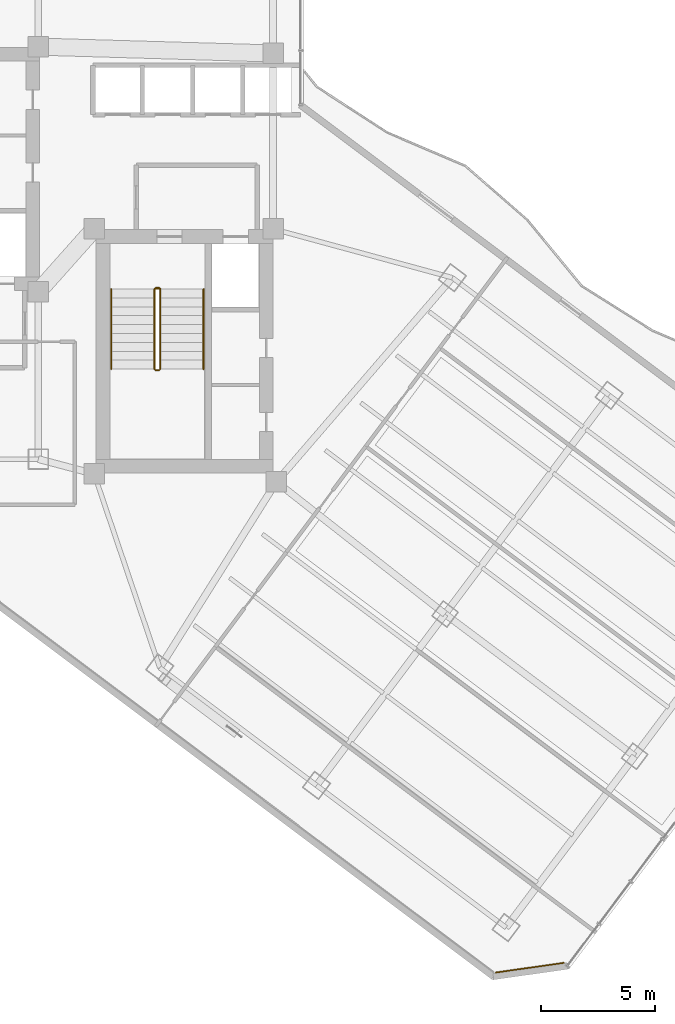
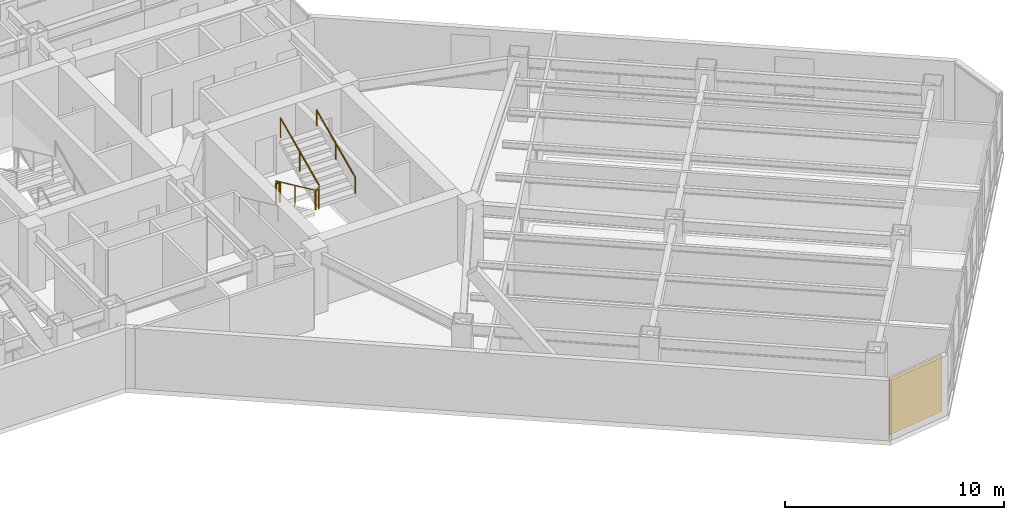
# One storey, part 28 of 31: 7 railings, 1 covering.
"""IFC4 building model written with IfcOpenShell, lengths in metres."""

from ifc_helpers import new_model, si_unit, direction, frame, origin, origin_2d, place, context, subcontext, project, spatial, rectangle, circle, extrude, material, layer, layer_set, type_object, element, save


model = new_model("IFC4")

# Units and contexts
model_context = context("Model", 3, precision=1e-05, world=origin(), true_north=direction((0.0, 1.0)))
body_context = subcontext(model_context, "Body", "Model", "MODEL_VIEW")
ifc_project = project(units=[si_unit("LENGTHUNIT", "METRE"), si_unit("AREAUNIT", "SQUARE_METRE"), si_unit("VOLUMEUNIT", "CUBIC_METRE"), si_unit("PLANEANGLEUNIT", "RADIAN"), si_unit("MASSUNIT", "GRAM", prefix="KILO")], contexts=[model_context])

# Site, building, storey
site_placement = place(None, origin())
site = spatial("IfcSite", under=ifc_project, at=site_placement, CompositionType="ELEMENT")
building_placement = place(site_placement, origin())
building = spatial("IfcBuilding", under=site, at=building_placement, Name="Hatsunagi Terrace Concourse", CompositionType="ELEMENT")
storey_placement = place(building_placement, frame((0.0, 0.0, 112.050048828125)))
storey = spatial("IfcBuildingStorey", under=building, at=storey_placement, Name="L29", CompositionType="ELEMENT", Elevation=112.050048828125)

# Railings
ifc_material_1 = material(Name="Stainless steel", Category="steel")
ifc_layer_1 = layer(ifc_material_1, 0.044921875)
ifc_layer_set_1 = layer_set([ifc_layer_1], Name="StairPitchHandrail_Tower2000")
railing_type_1 = type_object("IfcRailingType", Name="StairPitchHandrail_Tower2000", PredefinedType="HANDRAIL", material=ifc_layer_set_1)
railing_1_placement = place(storey_placement, frame((36.550048828125, 32.659912109375, 0.179931640625)))
element("IfcRailing", 1, at=railing_1_placement, inside=storey, type_object=railing_type_1, Name="L29 ST-B stair handrail 1", PredefinedType="HANDRAIL", context=body_context, shape_type="SweptSolid", body=[
    extrude(circle(Radius=0.02392578125, at=origin_2d()), frame((0.0, 0.0, 0.8759765625), z_axis=(0.0, -0.907948293929, 0.419082206198), x_axis=(1.0, 0.0, 0.0)), (0.0, 0.0, 1.0), 3.865966796875),
    extrude(circle(Radius=0.02099609375, at=origin_2d()), origin(), (0.0, 0.0, 1.0), 0.851806640625),
    extrude(circle(Radius=0.02099609375, at=origin_2d()), frame((0.0, -1.7548828125, 0.81005859375)), (0.0, 0.0, 1.0), 0.851806640625),
    extrude(circle(Radius=0.02099609375, at=origin_2d()), frame((0.0, -3.510009765625, 1.6201171875)), (0.0, 0.0, 1.0), 0.851806640625),
])
railing_2_placement = place(storey_placement, frame((40.60009765625, 29.14990234375, 1.97998046875)))
element("IfcRailing", 2, at=railing_2_placement, inside=storey, type_object=railing_type_1, Name="L29 ST-B stair handrail 2", PredefinedType="HANDRAIL", context=body_context, shape_type="SweptSolid", body=[
    extrude(circle(Radius=0.02392578125, at=origin_2d()), frame((0.0, 0.0, 0.8759765625), z_axis=(0.0, 0.907972323039, 0.419030142823), x_axis=(-1.0, 0.0, 0.0)), (0.0, 0.0, 1.0), 3.86572265625),
    extrude(circle(Radius=0.02099609375, at=origin_2d()), origin(), (0.0, 0.0, 1.0), 0.851806640625),
    extrude(circle(Radius=0.02099609375, at=origin_2d()), frame((0.0, 1.7548828125, 0.81005859375)), (0.0, 0.0, 1.0), 0.851806640625),
    extrude(circle(Radius=0.02099609375, at=origin_2d()), frame((0.0, 3.510009765625, 1.619873046875)), (0.0, 0.0, 1.0), 0.851806640625),
])
ifc_material_2 = material(Name="Stainless steel", Category="steel")
ifc_layer_2 = layer(ifc_material_2, 0.06005859375)
ifc_layer_set_2 = layer_set([ifc_layer_2], Name="StairWellGuard_Tower2000")
railing_type_2 = type_object("IfcRailingType", Name="StairWellGuard_Tower2000", PredefinedType="BALUSTRADE", material=ifc_layer_set_2)
railing_3_placement = place(storey_placement, frame((38.449951171875, 32.659912109375, 0.179931640625)))
element("IfcRailing", 3, at=railing_3_placement, inside=storey, type_object=railing_type_2, Name="L29 ST-B stair guard 1", PredefinedType="BALUSTRADE", context=body_context, shape_type="SweptSolid", body=[
    extrude(circle(Radius=0.02392578125, at=origin_2d()), frame((0.0, 0.0, 1.09619140625), z_axis=(0.0, -0.907948293929, 0.419082206198), x_axis=(1.0, 0.0, 0.0)), (0.0, 0.0, 1.0), 3.865966796875),
    extrude(circle(Radius=0.02099609375, at=origin_2d()), origin(), (0.0, 0.0, 1.0), 1.072021484375),
    extrude(circle(Radius=0.02099609375, at=origin_2d()), frame((0.0, -1.7548828125, 0.81005859375)), (0.0, 0.0, 1.0), 1.072021484375),
    extrude(circle(Radius=0.02099609375, at=origin_2d()), frame((0.0, -3.510009765625, 1.6201171875)), (0.0, 0.0, 1.0), 1.072021484375),
])
railing_4_placement = place(storey_placement, frame((38.5, 29.10009765625, 1.800048828125)))
element("IfcRailing", 4, at=railing_4_placement, inside=storey, type_object=railing_type_2, Name="L29 ST-B stair guard 2", PredefinedType="BALUSTRADE", context=body_context, shape_type="SweptSolid", body=[
    extrude(circle(Radius=0.02392578125, at=origin_2d()), frame((0.0, 0.0, 1.09619140625), z_axis=(1.0, 0.0, 0.0), x_axis=(0.0, 1.0, 0.0)), (0.0, 0.0, 1.0), 0.14990234375),
    extrude(circle(Radius=0.02099609375, at=origin_2d()), origin(), (0.0, 0.0, 1.0), 1.072021484375),
    extrude(circle(Radius=0.02099609375, at=origin_2d()), frame((0.14990234375, 0.0, 0.0)), (0.0, 0.0, 1.0), 1.072021484375),
])
railing_5_placement = place(storey_placement, frame((38.699951171875, 29.14990234375, 1.97998046875)))
element("IfcRailing", 5, at=railing_5_placement, inside=storey, type_object=railing_type_2, Name="L29 ST-B stair guard 3", PredefinedType="BALUSTRADE", context=body_context, shape_type="SweptSolid", body=[
    extrude(circle(Radius=0.02392578125, at=origin_2d()), frame((0.0, 0.0, 1.09619140625), z_axis=(0.0, 0.907972323039, 0.419030142823), x_axis=(-1.0, 0.0, 0.0)), (0.0, 0.0, 1.0), 3.86572265625),
    extrude(circle(Radius=0.02099609375, at=origin_2d()), origin(), (0.0, 0.0, 1.0), 1.072021484375),
    extrude(circle(Radius=0.02099609375, at=origin_2d()), frame((0.0, 1.7548828125, 0.81005859375)), (0.0, 0.0, 1.0), 1.072021484375),
    extrude(circle(Radius=0.02099609375, at=origin_2d()), frame((0.0, 3.510009765625, 1.619873046875)), (0.0, 0.0, 1.0), 1.072021484375),
])
railing_6_placement = place(storey_placement, frame((38.5, 32.7099609375, 0.0)))
element("IfcRailing", 6, at=railing_6_placement, inside=storey, type_object=railing_type_2, Name="L29 ST-B stair guard 4", PredefinedType="BALUSTRADE", context=body_context, shape_type="SweptSolid", body=[
    extrude(circle(Radius=0.02392578125, at=origin_2d()), frame((0.0, 0.0, 1.09619140625), z_axis=(1.0, 0.0, 0.0), x_axis=(0.0, 1.0, 0.0)), (0.0, 0.0, 1.0), 0.14990234375),
    extrude(circle(Radius=0.02099609375, at=origin_2d()), origin(), (0.0, 0.0, 1.0), 1.072021484375),
    extrude(circle(Radius=0.02099609375, at=origin_2d()), frame((0.14990234375, 0.0, 0.0)), (0.0, 0.0, 1.0), 1.072021484375),
])
ifc_material_3 = material(Name="Stainless Steel SUS316 Post-and-Rail Guard", Category="steel")
ifc_layer_3 = layer(ifc_material_3, 0.080078125)
ifc_layer_set_3 = layer_set([ifc_layer_3], Name="TerracePlantedGuardRail_1200")
railing_type_3 = type_object("IfcRailingType", Name="TerracePlantedGuardRail_1200", PredefinedType="GUARDRAIL", material=ifc_layer_set_3)
railing_7_placement = place(storey_placement, frame((38.449951171875, 32.679931640625, 0.0)))
element("IfcRailing", 7, at=railing_7_placement, inside=storey, type_object=railing_type_3, Name="Stair ST-B Well Closure Guard L29", PredefinedType="GUARDRAIL", context=body_context, shape_type="SweptSolid", body=[
    extrude(circle(Radius=0.02392578125, at=origin_2d()), frame((0.0, 0.0, 1.09619140625), z_axis=(1.0, 0.0, 0.0), x_axis=(0.0, 1.0, 0.0)), (0.0, 0.0, 1.0), 0.25),
    extrude(circle(Radius=0.02099609375, at=origin_2d()), origin(), (0.0, 0.0, 1.0), 1.072021484375),
    extrude(circle(Radius=0.02099609375, at=origin_2d()), frame((0.25, 0.0, 0.0)), (0.0, 0.0, 1.0), 1.072021484375),
])

# Covering
ifc_material_4 = material(Name="Unglazed Warm Terracotta Rainscreen Tile", Category="masonry")
ifc_layer_4 = layer(ifc_material_4, 0.044921875)
ifc_layer_set_4 = layer_set([ifc_layer_4], Name="TerracottaRainscreenCladding_45")
covering_type = type_object("IfcCoveringType", Name="TerracottaRainscreenCladding_45", PredefinedType="CLADDING", material=ifc_layer_set_4)
covering_placement = place(storey_placement, frame((54.91796875, 2.87890625, 0.10009765625), z_axis=(0.0, 0.0, 1.0), x_axis=(-0.989973920543, -0.141250262458, 0.0)))
element("IfcCovering", 8, at=covering_placement, inside=storey, type_object=covering_type, Name="Terracotta Rainscreen Cladding L29-04", PredefinedType="CLADDING", context=body_context, shape_type="SweptSolid", body=[
    extrude(rectangle(XDim=3.0380859375, YDim=0.044921875, at=origin_2d()), origin(), (0.0, 0.0, 1.0), 3.14990234375),
])

save(model, "model.ifc")
